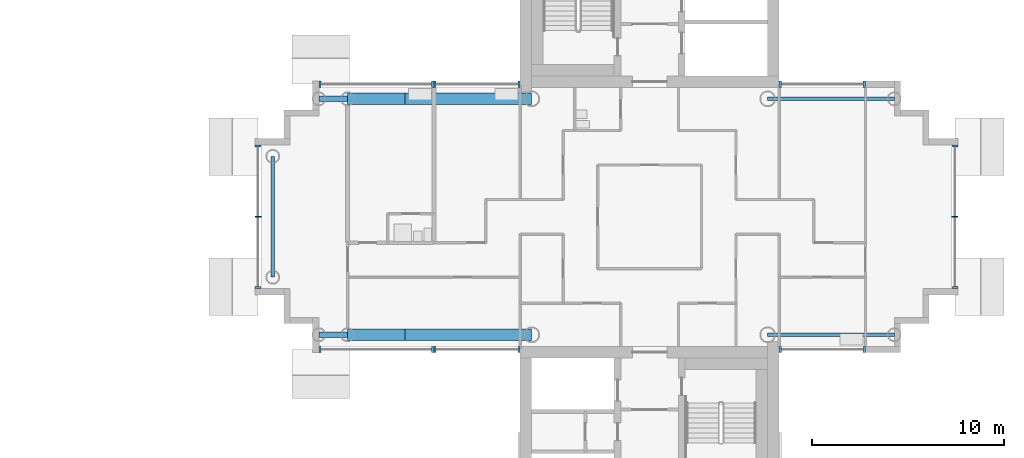
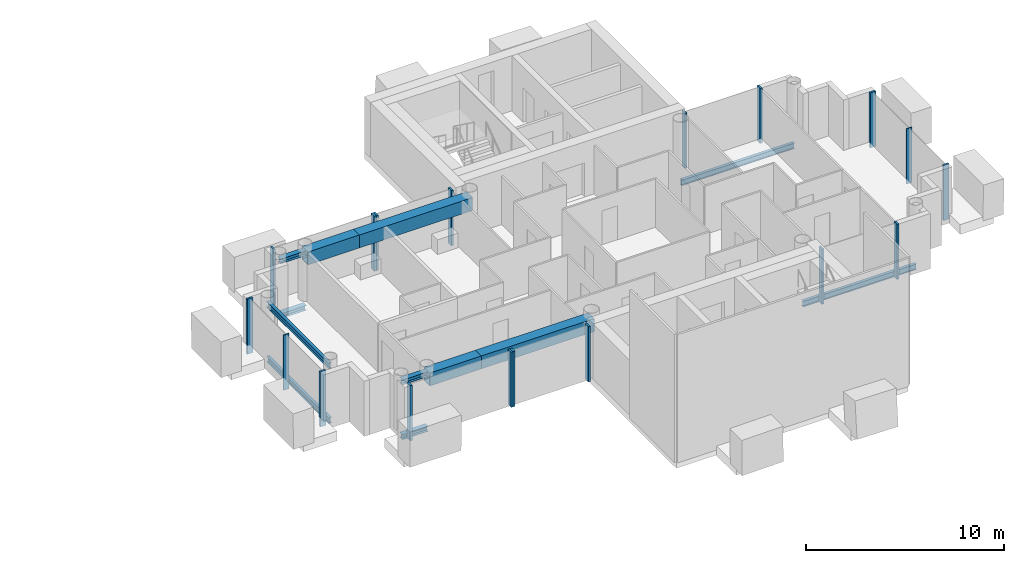
# One storey, part 4 of 18: 18 members, 12 beams, 8 elements without a shape of their own.
"""IFC4 building model written with IfcOpenShell, lengths in metres."""

from ifc_helpers import new_model, si_unit, direction, frame, origin, origin_2d, place, context, subcontext, project, spatial, rectangle, hollow_rectangle, i_section, extrude, material, layer, layer_set, material_profile, profile_set, type_object, element, aggregate, save


model = new_model("IFC4")

# Units and contexts
model_context = context("Model", 3, precision=1e-05, world=origin(), true_north=direction((0.0, 1.0)))
body_context = subcontext(model_context, "Body", "Model", "MODEL_VIEW")
ifc_project = project(units=[si_unit("LENGTHUNIT", "METRE"), si_unit("AREAUNIT", "SQUARE_METRE"), si_unit("VOLUMEUNIT", "CUBIC_METRE"), si_unit("PLANEANGLEUNIT", "RADIAN"), si_unit("MASSUNIT", "GRAM", prefix="KILO")], contexts=[model_context])

# Site, building, storey
site_placement = place(None, origin())
site = spatial("IfcSite", under=ifc_project, at=site_placement, CompositionType="ELEMENT")
building_placement = place(site_placement, origin())
building = spatial("IfcBuilding", under=site, at=building_placement, Name="Ipe Terrace Towers", CompositionType="ELEMENT")
storey_placement = place(building_placement, frame((0.0, 0.0, 230.0)))
storey = spatial("IfcBuildingStorey", under=building, at=storey_placement, Name="L64", CompositionType="ELEMENT", Elevation=230.0)

# Beams
ifc_material_1 = material(Name="Steel S355", Category="steel")
ifc_material_profile_1 = material_profile(ifc_material_1, i_section(OverallWidth=0.300048828125, OverallDepth=0.300048828125, WebThickness=0.010009765625, FlangeThickness=0.014892578125, at=origin_2d()), Name="H-300x300x10x15")
ifc_profile_set_1 = profile_set([ifc_material_profile_1], Name="Steel S355")
beam_type_1 = type_object("IfcBeamType", Name="H03 DECK EDGE BEAM H-300x300x10x15", PredefinedType="BEAM", material=ifc_profile_set_1)
for number, where, z_axis, x_axis, name in (
    (1, (20.25, 6.14990234375, 2.830078125), (-1.0, 0.0, 0.0), (0.0, -1.0, 0.0), "Deck edge beam T2-TB-B03-B05"),
    (2, (20.25, -6.14990234375, 2.830078125), (-1.0, 0.0, 0.0), (0.0, -1.0, 0.0), "Deck edge beam T2-TB-B04-B06"),
):
    element("IfcBeam", number, at=place(storey_placement, frame(where, z_axis=z_axis, x_axis=x_axis)), inside=storey, type_object=beam_type_1, Name=name, PredefinedType="BEAM", context=body_context, shape_type="SweptSolid", body=[
        extrude(i_section(OverallWidth=0.300048828125, OverallDepth=0.300048828125, WebThickness=0.010009765625, FlangeThickness=0.014892578125, at=origin_2d()), origin(), (0.0, 0.0, 1.0), 1.5),
    ])
ifc_material_2 = material(Name="Steel S355", Category="steel")
ifc_material_profile_2 = material_profile(ifc_material_2, i_section(OverallWidth=0.300048828125, OverallDepth=0.300048828125, WebThickness=0.010009765625, FlangeThickness=0.014892578125, at=origin_2d()), Name="H-300x300x10x15")
ifc_profile_set_2 = profile_set([ifc_material_profile_2], Name="Steel S355")
beam_type_2 = type_object("IfcBeamType", Name="H03 EDGE BEAM H-300x300x10x15", PredefinedType="BEAM", material=ifc_profile_set_2)
for number, where, z_axis, x_axis, name in (
    (3, (20.25, 6.14990234375, -0.550048828125), (-1.0, 0.0, 0.0), (0.0, -1.0, 0.0), "Edge beam T2-EB-B03-B05"),
    (4, (20.25, -6.14990234375, -0.550048828125), (-1.0, 0.0, 0.0), (0.0, -1.0, 0.0), "Edge beam T2-EB-B04-B06"),
):
    element("IfcBeam", number, at=place(storey_placement, frame(where, z_axis=z_axis, x_axis=x_axis)), inside=storey, type_object=beam_type_2, Name=name, PredefinedType="BEAM", context=body_context, shape_type="SweptSolid", body=[
        extrude(i_section(OverallWidth=0.300048828125, OverallDepth=0.300048828125, WebThickness=0.010009765625, FlangeThickness=0.014892578125, at=origin_2d()), origin(), (0.0, 0.0, 1.0), 1.5),
    ])
ifc_material_3 = material(Name="Steel S355", Category="steel")
ifc_material_profile_3 = material_profile(ifc_material_3, i_section(OverallWidth=0.175048828125, OverallDepth=0.35009765625, WebThickness=0.007080078125, FlangeThickness=0.010986328125, at=origin_2d()), Name="H-350x175x7x11")
ifc_profile_set_3 = profile_set([ifc_material_profile_3], Name="Steel S355")
beam_type_3 = type_object("IfcBeamType", Name="H04 DECK EDGE BEAM H-350x175x7x11", PredefinedType="BEAM", material=ifc_profile_set_3)
beam_1_placement = place(storey_placement, frame((16.35009765625, 3.14990234375, 2.804931640625), z_axis=(0.0, -1.0, 0.0), x_axis=(1.0, 0.0, 0.0)))
element("IfcBeam", 5, at=beam_1_placement, inside=storey, type_object=beam_type_3, Name="Deck edge beam T2-TB-B07-B08", PredefinedType="BEAM", context=body_context, shape_type="SweptSolid", body=[
    extrude(i_section(OverallWidth=0.175048828125, OverallDepth=0.35009765625, WebThickness=0.007080078125, FlangeThickness=0.010986328125, at=origin_2d()), origin(), (0.0, 0.0, 1.0), 6.2998046875),
])
ifc_material_4 = material(Name="Steel S355", Category="steel")
ifc_material_profile_4 = material_profile(ifc_material_4, i_section(OverallWidth=0.175048828125, OverallDepth=0.35009765625, WebThickness=0.007080078125, FlangeThickness=0.010986328125, at=origin_2d()), Name="H-350x175x7x11")
ifc_profile_set_4 = profile_set([ifc_material_profile_4], Name="Steel S355")
beam_type_4 = type_object("IfcBeamType", Name="H04 EDGE BEAM H-350x175x7x11", PredefinedType="BEAM", material=ifc_profile_set_4)
beam_2_placement = place(storey_placement, frame((16.35009765625, 3.14990234375, -0.574951171875), z_axis=(0.0, -1.0, 0.0), x_axis=(1.0, 0.0, 0.0)))
element("IfcBeam", 6, at=beam_2_placement, inside=storey, type_object=beam_type_4, Name="Edge beam T2-EB-B07-B08", PredefinedType="BEAM", context=body_context, shape_type="SweptSolid", body=[
    extrude(i_section(OverallWidth=0.175048828125, OverallDepth=0.35009765625, WebThickness=0.007080078125, FlangeThickness=0.010986328125, at=origin_2d()), origin(), (0.0, 0.0, 1.0), 6.2998046875),
])
for number, where, z_axis, x_axis, name in (
    (7, (48.75, -6.14990234375, -0.574951171875), (-1.0, 0.0, 0.0), (0.0, -1.0, 0.0), "Edge beam T2-EB-D01-E01"),
    (8, (48.75, 6.14990234375, -0.574951171875), (-1.0, 0.0, 0.0), (0.0, -1.0, 0.0), "Edge beam T2-EB-D02-E02"),
):
    element("IfcBeam", number, at=place(storey_placement, frame(where, z_axis=z_axis, x_axis=x_axis)), inside=storey, type_object=beam_type_4, Name=name, PredefinedType="BEAM", context=body_context, shape_type="SweptSolid", body=[
        extrude(i_section(OverallWidth=0.175048828125, OverallDepth=0.35009765625, WebThickness=0.007080078125, FlangeThickness=0.010986328125, at=origin_2d()), origin(), (0.0, 0.0, 1.0), 6.60009765625),
    ])
ifc_material_5 = material(Name="Steel S355", Category="steel")
ifc_material_profile_5 = material_profile(ifc_material_5, hollow_rectangle(XDim=0.60009765625, YDim=0.800048828125, WallThickness=0.0400390625, at=origin_2d()), Name="BOX-800x600x40")
ifc_profile_set_5 = profile_set([ifc_material_profile_5], Name="Steel S355")
beam_type_5 = type_object("IfcBeamType", Name="TG1 TRANSFER GIRDER BOX-800x600x40", PredefinedType="BEAM", material=ifc_profile_set_5)
beam_3_placement = place(storey_placement, frame((29.85009765625, 6.14990234375, 2.580078125), z_axis=(-1.0, 0.0, 0.0), x_axis=(0.0, -1.0, 0.0)))
element("IfcBeam", 9, at=beam_3_placement, inside=storey, type_object=beam_type_5, Name="Transfer girder T2-TG-B01-E03", PredefinedType="BEAM", context=body_context, shape_type="SweptSolid", body=[
    extrude(hollow_rectangle(XDim=0.60009765625, YDim=0.800048828125, WallThickness=0.0400390625, at=origin_2d()), origin(), (0.0, 0.0, 1.0), 6.60009765625),
])
beam_4_placement = place(storey_placement, frame((23.25, 6.14990234375, 2.580078125), z_axis=(-1.0, 0.0, 0.0), x_axis=(0.0, -1.0, 0.0)))
element("IfcBeam", 10, at=beam_4_placement, inside=storey, type_object=beam_type_5, Name="Transfer girder T2-TG-B01-B03", PredefinedType="BEAM", context=body_context, shape_type="SweptSolid", body=[
    extrude(hollow_rectangle(XDim=0.60009765625, YDim=0.800048828125, WallThickness=0.0400390625, at=origin_2d()), origin(), (0.0, 0.0, 1.0), 3.0),
])
beam_5_placement = place(storey_placement, frame((29.85009765625, -6.14990234375, 2.580078125), z_axis=(-1.0, 0.0, 0.0), x_axis=(0.0, -1.0, 0.0)))
element("IfcBeam", 11, at=beam_5_placement, inside=storey, type_object=beam_type_5, Name="Transfer girder T2-TG-B02-E04", PredefinedType="BEAM", context=body_context, shape_type="SweptSolid", body=[
    extrude(hollow_rectangle(XDim=0.60009765625, YDim=0.800048828125, WallThickness=0.0400390625, at=origin_2d()), origin(), (0.0, 0.0, 1.0), 6.60009765625),
])
beam_6_placement = place(storey_placement, frame((23.25, -6.14990234375, 2.580078125), z_axis=(-1.0, 0.0, 0.0), x_axis=(0.0, -1.0, 0.0)))
element("IfcBeam", 12, at=beam_6_placement, inside=storey, type_object=beam_type_5, Name="Transfer girder T2-TG-B02-B04", PredefinedType="BEAM", context=body_context, shape_type="SweptSolid", body=[
    extrude(hollow_rectangle(XDim=0.60009765625, YDim=0.800048828125, WallThickness=0.0400390625, at=origin_2d()), origin(), (0.0, 0.0, 1.0), 3.0),
])

# Curtain wall, members
ifc_material_6 = material(Name="Aluminium alloy 6063-T6", Category="aluminium")
ifc_layer = layer(ifc_material_6, 0.320068359375)
ifc_layer_set = layer_set([ifc_layer], Name="TOWER UNITISED CURTAIN WALL")
curtain_wall_type = type_object("IfcCurtainWallType", Name="TOWER UNITISED CURTAIN WALL", PredefinedType="NOTDEFINED", material=ifc_layer_set)
curtain_wall_1_placement = place(storey_placement, origin())
curtain_wall_1 = element("IfcCurtainWall", 13, at=curtain_wall_1_placement, inside=storey, type_object=curtain_wall_type, Name="T2-CW-L64-02a curtain wall", PredefinedType="NOTDEFINED")
ifc_material_7 = material(Name="Aluminium alloy 6063-T6", Category="aluminium")
ifc_material_profile_6 = material_profile(ifc_material_7, rectangle(XDim=0.320068359375, YDim=0.1201171875, at=origin_2d()), Name="TOWER UNITISED CORNER MULLION 320 x 120")
ifc_profile_set_6 = profile_set([ifc_material_profile_6], Name="Aluminium alloy 6063-T6")
member_type_1 = type_object("IfcMemberType", Name="TOWER UNITISED CORNER MULLION 320 x 120", PredefinedType="MULLION", material=ifc_profile_set_6)
member_1_placement = place(storey_placement, frame((42.81005859375, -6.909912109375, -0.300048828125), z_axis=(0.0, 0.0, 1.0), x_axis=(0.0, -1.0, 0.0)))
member_1 = element("IfcMember", 14, at=member_1_placement, type_object=member_type_1, Name="T2-CW-L64-02a mullion 1", PredefinedType="MULLION", context=body_context, shape_type="SweptSolid", body=[
    extrude(rectangle(XDim=0.320068359375, YDim=0.1201171875, at=origin_2d()), origin(), (0.0, 0.0, 1.0), 3.400146484375),
])
member_2_placement = place(storey_placement, frame((47.18994140625, -6.909912109375, -0.300048828125), z_axis=(0.0, 0.0, 1.0), x_axis=(0.0, -1.0, 0.0)))
member_2 = element("IfcMember", 15, at=member_2_placement, type_object=member_type_1, Name="T2-CW-L64-02a mullion 2", PredefinedType="MULLION", context=body_context, shape_type="SweptSolid", body=[
    extrude(rectangle(XDim=0.320068359375, YDim=0.1201171875, at=origin_2d()), origin(), (0.0, 0.0, 1.0), 3.400146484375),
])
aggregate(curtain_wall_1, [member_1, member_2])

curtain_wall_2_placement = place(storey_placement, origin())
curtain_wall_2 = element("IfcCurtainWall", 16, at=curtain_wall_2_placement, inside=storey, type_object=curtain_wall_type, Name="T2-CW-L64-08a curtain wall", PredefinedType="NOTDEFINED")
member_3_placement = place(storey_placement, frame((51.909912109375, -3.68994140625, -0.300048828125), z_axis=(0.0, 0.0, 1.0), x_axis=(1.0, 0.0, 0.0)))
member_3 = element("IfcMember", 17, at=member_3_placement, type_object=member_type_1, Name="T2-CW-L64-08a mullion 1", PredefinedType="MULLION", context=body_context, shape_type="SweptSolid", body=[
    extrude(rectangle(XDim=0.320068359375, YDim=0.1201171875, at=origin_2d()), origin(), (0.0, 0.0, 1.0), 3.400146484375),
])
member_4_placement = place(storey_placement, frame((51.909912109375, 3.68994140625, -0.300048828125), z_axis=(0.0, 0.0, 1.0), x_axis=(1.0, 0.0, 0.0)))
member_4 = element("IfcMember", 18, at=member_4_placement, type_object=member_type_1, Name="T2-CW-L64-08a mullion 3", PredefinedType="MULLION", context=body_context, shape_type="SweptSolid", body=[
    extrude(rectangle(XDim=0.320068359375, YDim=0.1201171875, at=origin_2d()), origin(), (0.0, 0.0, 1.0), 3.400146484375),
])

curtain_wall_3_placement = place(storey_placement, origin())
curtain_wall_3 = element("IfcCurtainWall", 19, at=curtain_wall_3_placement, inside=storey, type_object=curtain_wall_type, Name="T2-CW-L64-14a curtain wall", PredefinedType="NOTDEFINED")
member_5_placement = place(storey_placement, frame((47.18994140625, 6.909912109375, -0.300048828125), z_axis=(0.0, 0.0, 1.0), x_axis=(0.0, 1.0, 0.0)))
member_5 = element("IfcMember", 20, at=member_5_placement, type_object=member_type_1, Name="T2-CW-L64-14a mullion 1", PredefinedType="MULLION", context=body_context, shape_type="SweptSolid", body=[
    extrude(rectangle(XDim=0.320068359375, YDim=0.1201171875, at=origin_2d()), origin(), (0.0, 0.0, 1.0), 3.400146484375),
])
member_6_placement = place(storey_placement, frame((42.81005859375, 6.909912109375, -0.300048828125), z_axis=(0.0, 0.0, 1.0), x_axis=(0.0, 1.0, 0.0)))
member_6 = element("IfcMember", 21, at=member_6_placement, type_object=member_type_1, Name="T2-CW-L64-14a mullion 2", PredefinedType="MULLION", context=body_context, shape_type="SweptSolid", body=[
    extrude(rectangle(XDim=0.320068359375, YDim=0.1201171875, at=origin_2d()), origin(), (0.0, 0.0, 1.0), 3.400146484375),
])
aggregate(curtain_wall_3, [member_5, member_6])

curtain_wall_4_placement = place(storey_placement, origin())
curtain_wall_4 = element("IfcCurtainWall", 22, at=curtain_wall_4_placement, inside=storey, type_object=curtain_wall_type, Name="T2-CW-L64-20a curtain wall", PredefinedType="NOTDEFINED")
member_7_placement = place(storey_placement, frame((29.18994140625, 6.909912109375, -0.300048828125), z_axis=(0.0, 0.0, 1.0), x_axis=(0.0, 1.0, 0.0)))
member_7 = element("IfcMember", 23, at=member_7_placement, type_object=member_type_1, Name="T2-CW-L64-20a mullion 1", PredefinedType="MULLION", context=body_context, shape_type="SweptSolid", body=[
    extrude(rectangle(XDim=0.320068359375, YDim=0.1201171875, at=origin_2d()), origin(), (0.0, 0.0, 1.0), 3.400146484375),
])
member_8_placement = place(storey_placement, frame((24.81005859375, 6.909912109375, -0.300048828125), z_axis=(0.0, 0.0, 1.0), x_axis=(0.0, 1.0, 0.0)))
member_8 = element("IfcMember", 24, at=member_8_placement, type_object=member_type_1, Name="T2-CW-L64-20a mullion 2", PredefinedType="MULLION", context=body_context, shape_type="SweptSolid", body=[
    extrude(rectangle(XDim=0.320068359375, YDim=0.1201171875, at=origin_2d()), origin(), (0.0, 0.0, 1.0), 3.400146484375),
])
aggregate(curtain_wall_4, [member_7, member_8])

curtain_wall_5_placement = place(storey_placement, origin())
curtain_wall_5 = element("IfcCurtainWall", 25, at=curtain_wall_5_placement, inside=storey, type_object=curtain_wall_type, Name="T2-CW-L64-21a curtain wall", PredefinedType="NOTDEFINED")
member_9_placement = place(storey_placement, frame((24.68994140625, 6.909912109375, -0.300048828125), z_axis=(0.0, 0.0, 1.0), x_axis=(0.0, 1.0, 0.0)))
member_9 = element("IfcMember", 26, at=member_9_placement, type_object=member_type_1, Name="T2-CW-L64-21a mullion 1", PredefinedType="MULLION", context=body_context, shape_type="SweptSolid", body=[
    extrude(rectangle(XDim=0.320068359375, YDim=0.1201171875, at=origin_2d()), origin(), (0.0, 0.0, 1.0), 3.400146484375),
])
member_10_placement = place(storey_placement, frame((18.81005859375, 6.909912109375, -0.300048828125), z_axis=(0.0, 0.0, 1.0), x_axis=(0.0, 1.0, 0.0)))
member_10 = element("IfcMember", 27, at=member_10_placement, type_object=member_type_1, Name="T2-CW-L64-21a mullion 2", PredefinedType="MULLION", context=body_context, shape_type="SweptSolid", body=[
    extrude(rectangle(XDim=0.320068359375, YDim=0.1201171875, at=origin_2d()), origin(), (0.0, 0.0, 1.0), 3.400146484375),
])
aggregate(curtain_wall_5, [member_9, member_10])

curtain_wall_6_placement = place(storey_placement, origin())
curtain_wall_6 = element("IfcCurtainWall", 28, at=curtain_wall_6_placement, inside=storey, type_object=curtain_wall_type, Name="T2-CW-L64-26a curtain wall", PredefinedType="NOTDEFINED")
member_11_placement = place(storey_placement, frame((15.590087890625, 3.68994140625, -0.300048828125), z_axis=(0.0, 0.0, 1.0), x_axis=(-1.0, 0.0, 0.0)))
member_11 = element("IfcMember", 29, at=member_11_placement, type_object=member_type_1, Name="T2-CW-L64-26a mullion 1", PredefinedType="MULLION", context=body_context, shape_type="SweptSolid", body=[
    extrude(rectangle(XDim=0.320068359375, YDim=0.1201171875, at=origin_2d()), origin(), (0.0, 0.0, 1.0), 3.400146484375),
])
member_12_placement = place(storey_placement, frame((15.590087890625, -3.68994140625, -0.300048828125), z_axis=(0.0, 0.0, 1.0), x_axis=(-1.0, 0.0, 0.0)))
member_12 = element("IfcMember", 30, at=member_12_placement, type_object=member_type_1, Name="T2-CW-L64-26a mullion 3", PredefinedType="MULLION", context=body_context, shape_type="SweptSolid", body=[
    extrude(rectangle(XDim=0.320068359375, YDim=0.1201171875, at=origin_2d()), origin(), (0.0, 0.0, 1.0), 3.400146484375),
])

curtain_wall_7_placement = place(storey_placement, origin())
curtain_wall_7 = element("IfcCurtainWall", 31, at=curtain_wall_7_placement, inside=storey, type_object=curtain_wall_type, Name="T2-CW-L64-31a curtain wall", PredefinedType="NOTDEFINED")
member_13_placement = place(storey_placement, frame((18.81005859375, -6.909912109375, -0.300048828125), z_axis=(0.0, 0.0, 1.0), x_axis=(0.0, -1.0, 0.0)))
member_13 = element("IfcMember", 32, at=member_13_placement, type_object=member_type_1, Name="T2-CW-L64-31a mullion 1", PredefinedType="MULLION", context=body_context, shape_type="SweptSolid", body=[
    extrude(rectangle(XDim=0.320068359375, YDim=0.1201171875, at=origin_2d()), origin(), (0.0, 0.0, 1.0), 3.400146484375),
])
member_14_placement = place(storey_placement, frame((24.68994140625, -6.909912109375, -0.300048828125), z_axis=(0.0, 0.0, 1.0), x_axis=(0.0, -1.0, 0.0)))
member_14 = element("IfcMember", 33, at=member_14_placement, type_object=member_type_1, Name="T2-CW-L64-31a mullion 2", PredefinedType="MULLION", context=body_context, shape_type="SweptSolid", body=[
    extrude(rectangle(XDim=0.320068359375, YDim=0.1201171875, at=origin_2d()), origin(), (0.0, 0.0, 1.0), 3.400146484375),
])
aggregate(curtain_wall_7, [member_13, member_14])

curtain_wall_8_placement = place(storey_placement, origin())
curtain_wall_8 = element("IfcCurtainWall", 34, at=curtain_wall_8_placement, inside=storey, type_object=curtain_wall_type, Name="T2-CW-L64-32a curtain wall", PredefinedType="NOTDEFINED")
member_15_placement = place(storey_placement, frame((24.81005859375, -6.909912109375, -0.300048828125), z_axis=(0.0, 0.0, 1.0), x_axis=(0.0, -1.0, 0.0)))
member_15 = element("IfcMember", 35, at=member_15_placement, type_object=member_type_1, Name="T2-CW-L64-32a mullion 1", PredefinedType="MULLION", context=body_context, shape_type="SweptSolid", body=[
    extrude(rectangle(XDim=0.320068359375, YDim=0.1201171875, at=origin_2d()), origin(), (0.0, 0.0, 1.0), 3.400146484375),
])
member_16_placement = place(storey_placement, frame((29.18994140625, -6.909912109375, -0.300048828125), z_axis=(0.0, 0.0, 1.0), x_axis=(0.0, -1.0, 0.0)))
member_16 = element("IfcMember", 36, at=member_16_placement, type_object=member_type_1, Name="T2-CW-L64-32a mullion 2", PredefinedType="MULLION", context=body_context, shape_type="SweptSolid", body=[
    extrude(rectangle(XDim=0.320068359375, YDim=0.1201171875, at=origin_2d()), origin(), (0.0, 0.0, 1.0), 3.400146484375),
])
aggregate(curtain_wall_8, [member_15, member_16])

# Member
ifc_material_8 = material(Name="Aluminium alloy 6063-T6", Category="aluminium")
ifc_material_profile_7 = material_profile(ifc_material_8, rectangle(XDim=0.320068359375, YDim=0.06494140625, at=origin_2d()), Name="TOWER UNITISED MULLION 320 x 65")
ifc_profile_set_7 = profile_set([ifc_material_profile_7], Name="Aluminium alloy 6063-T6")
member_type_2 = type_object("IfcMemberType", Name="TOWER UNITISED MULLION 320 x 65", PredefinedType="MULLION", material=ifc_profile_set_7)
member_17_placement = place(storey_placement, frame((51.909912109375, 0.0, -0.300048828125), z_axis=(0.0, 0.0, 1.0), x_axis=(1.0, 0.0, 0.0)))
member_17 = element("IfcMember", 37, at=member_17_placement, type_object=member_type_2, Name="T2-CW-L64-08a mullion 2", PredefinedType="MULLION", context=body_context, shape_type="SweptSolid", body=[
    extrude(rectangle(XDim=0.320068359375, YDim=0.06494140625, at=origin_2d()), origin(), (0.0, 0.0, 1.0), 3.400146484375),
])

aggregate(curtain_wall_2, [member_3, member_17, member_4])

member_18_placement = place(storey_placement, frame((15.590087890625, 0.0, -0.300048828125), z_axis=(0.0, 0.0, 1.0), x_axis=(-1.0, 0.0, 0.0)))
member_18 = element("IfcMember", 38, at=member_18_placement, type_object=member_type_2, Name="T2-CW-L64-26a mullion 2", PredefinedType="MULLION", context=body_context, shape_type="SweptSolid", body=[
    extrude(rectangle(XDim=0.320068359375, YDim=0.06494140625, at=origin_2d()), origin(), (0.0, 0.0, 1.0), 3.400146484375),
])

aggregate(curtain_wall_6, [member_11, member_18, member_12])

save(model, "model.ifc")
